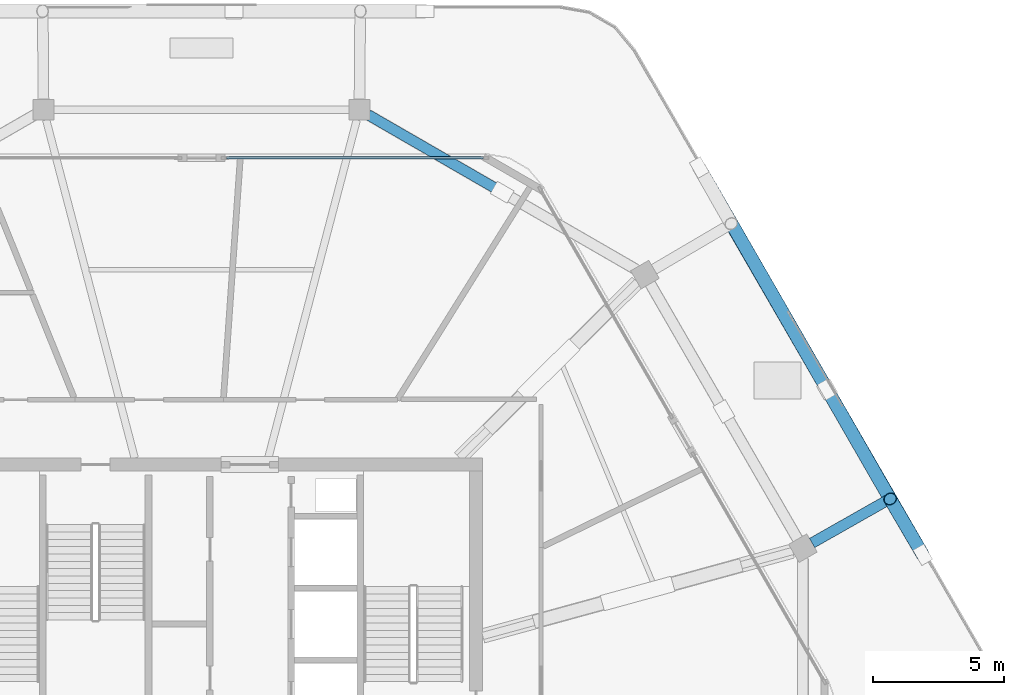
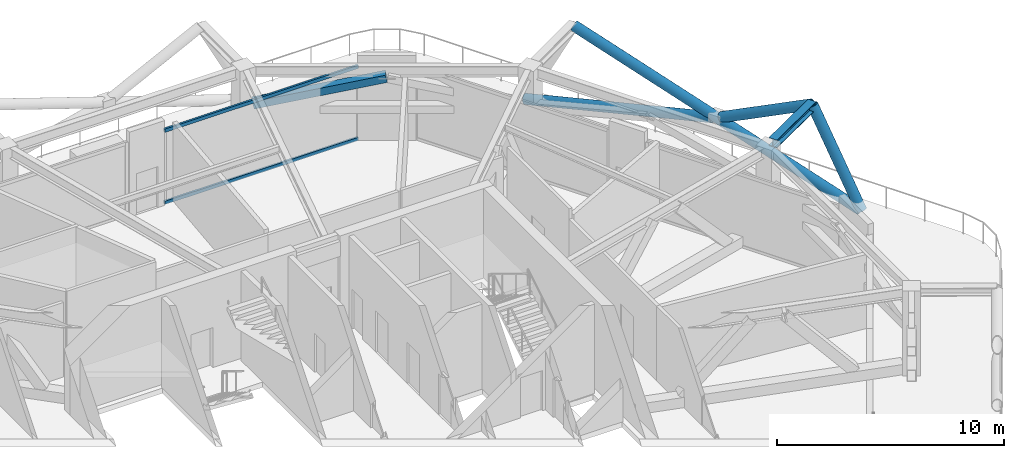
# One storey, part 10 of 19: 7 members, 1 beam, 1 element without a shape of its own.
"""IFC4 building model written with IfcOpenShell, lengths in metres."""

from ifc_helpers import new_model, si_unit, direction, frame, origin, origin_2d, place, context, subcontext, project, spatial, hollow_rectangle, hollow_circle, i_section, extrude, material, material_profile, profile_set, type_object, element, aggregate, save


model = new_model("IFC4")

# Units and contexts
model_context = context("Model", 3, precision=1e-05, world=origin(), true_north=direction((0.0, 1.0)))
body_context = subcontext(model_context, "Body", "Model", "MODEL_VIEW")
ifc_project = project(units=[si_unit("LENGTHUNIT", "METRE"), si_unit("AREAUNIT", "SQUARE_METRE"), si_unit("VOLUMEUNIT", "CUBIC_METRE"), si_unit("PLANEANGLEUNIT", "RADIAN"), si_unit("MASSUNIT", "GRAM", prefix="KILO")], contexts=[model_context])

# Site, building, storey
site_placement = place(None, origin())
site = spatial("IfcSite", under=ifc_project, at=site_placement, CompositionType="ELEMENT")
building_placement = place(site_placement, origin())
building = spatial("IfcBuilding", under=site, at=building_placement, Name="Zuhravey Tower", CompositionType="ELEMENT")
storey_placement = place(building_placement, frame((0.0, 0.0, 303.39990234375)))
storey = spatial("IfcBuildingStorey", under=building, at=storey_placement, Name="L77", CompositionType="ELEMENT", Elevation=303.39990234375)

# Member
ifc_material_1 = material(Name="Steel SM355", Category="steel")
ifc_material_profile_1 = material_profile(ifc_material_1, hollow_rectangle(XDim=0.39990234375, YDim=0.39990234375, WallThickness=0.02490234375, at=origin_2d()), Name="RHS-400x400x25")
ifc_profile_set_1 = profile_set([ifc_material_profile_1], Name="Steel SM355")
member_type_1 = type_object("IfcMemberType", Name="Belt Truss Diagonal RHS400x400", PredefinedType="BRACE", material=ifc_profile_set_1)
member_1_placement = place(storey_placement, frame((42.402099609375, 54.854248046875, 2.49365234375), z_axis=(0.841308559202, -0.485733126091, 0.237198731936), x_axis=(0.500002627198, 0.866023886965, 0.0)))
element("IfcMember", 1, at=member_1_placement, inside=storey, type_object=member_type_1, Name="L77 Belt Truss Diagonal BTD1-02.2", PredefinedType="BRACE", context=body_context, shape_type="SweptSolid", body=[
    extrude(hollow_rectangle(XDim=0.39990234375, YDim=0.39990234375, WallThickness=0.02490234375, at=origin_2d()), origin(), (0.0, 0.0, 1.0), 6.030517578125),
])

# Beam
ifc_material_2 = material(Name="Steel SM460", Category="steel")
ifc_material_profile_2 = material_profile(ifc_material_2, i_section(OverallWidth=0.406982421875, OverallDepth=0.427978515625, WebThickness=0.02001953125, FlangeThickness=0.034912109375, at=origin_2d()), Name="H-428x407x20x35")
ifc_profile_set_2 = profile_set([ifc_material_profile_2], Name="Steel SM460")
beam_type = type_object("IfcBeamType", Name="Exoskeleton Node Tie Beam H428x407", PredefinedType="BEAM", material=ifc_profile_set_2)
beam_placement = place(storey_placement, frame((59.3447265625, 38.501708984375, 4.336181640625), z_axis=(0.869749848737, 0.493492857722, 0.0), x_axis=(-0.493492857722, 0.869749848737, 0.0)))
element("IfcBeam", 2, at=beam_placement, inside=storey, type_object=beam_type, Name="L77 Exoskeleton Node Tie NT1-01", PredefinedType="BEAM", context=body_context, shape_type="SweptSolid", body=[
    extrude(i_section(OverallWidth=0.406982421875, OverallDepth=0.427978515625, WebThickness=0.02001953125, FlangeThickness=0.034912109375, at=origin_2d()), origin(), (0.0, 0.0, 1.0), 3.4111328125),
])

# Members
ifc_material_profile_3 = material_profile(ifc_material_1, hollow_circle(Radius=0.25390625, WallThickness=0.02490234375, at=origin_2d()), Name="CHS-508.0x25")
ifc_profile_set_3 = profile_set([ifc_material_profile_3], Name="Steel SM355")
member_type_2 = type_object("IfcMemberType", Name="Exoskeleton Zone 4 Diagrid CHS508x25", PredefinedType="BRACE", material=ifc_profile_set_3)
member_2_placement = place(storey_placement, frame((63.574462890625, 38.0576171875, -0.477783203125), z_axis=(-0.230913459097, 0.394435671508, 0.889437729945), x_axis=(-0.862991302955, -0.505218775407, 0.0)))
element("IfcMember", 3, at=member_2_placement, inside=storey, type_object=member_type_2, Name="L77 Face 1 Diagrid Brace 1", PredefinedType="BRACE", context=body_context, shape_type="SweptSolid", body=[
    extrude(hollow_circle(Radius=0.25390625, WallThickness=0.02490234375, at=origin_2d()), origin(), (0.0, 0.0, 1.0), 5.394287109375),
])
member_3_placement = place(storey_placement, frame((63.554443359375, 38.092529296875, -0.477783203125), z_axis=(-0.475601911291, 0.821806256586, 0.313747189013), x_axis=(-0.865508774752, -0.500893762017, 0.0)))
element("IfcMember", 4, at=member_3_placement, inside=storey, type_object=member_type_2, Name="L77 Face 1 Diagrid Brace 2", PredefinedType="BRACE", context=body_context, shape_type="SweptSolid", body=[
    extrude(hollow_circle(Radius=0.25390625, WallThickness=0.02490234375, at=origin_2d()), origin(), (0.0, 0.0, 1.0), 15.2919921875),
])
member_4_placement = place(storey_placement, frame((55.053955078125, 52.815673828125, -0.481689453125), z_axis=(0.484798119758, -0.841201305855, 0.239480993205), x_axis=(0.866413012555, 0.499328040146, 0.0)))
element("IfcMember", 5, at=member_4_placement, inside=storey, type_object=member_type_2, Name="L77 Face 1 Split Diagrid Brace 3A", PredefinedType="BRACE", context=body_context, shape_type="SweptSolid", body=[
    extrude(hollow_circle(Radius=0.25390625, WallThickness=0.02490234375, at=origin_2d()), origin(), (0.0, 0.0, 1.0), 9.788818359375),
])
member_5_placement = place(storey_placement, frame((60.026611328125, 44.186767578125, 2.0302734375), z_axis=(0.445945117989, -0.775175980931, 0.447476424328), x_axis=(0.86680049607, 0.498655091233, 0.0)))
element("IfcMember", 6, at=member_5_placement, inside=storey, type_object=member_type_2, Name="L77 Face 1 Split Diagrid Brace 3B", PredefinedType="BRACE", context=body_context, shape_type="SweptSolid", body=[
    extrude(hollow_circle(Radius=0.25390625, WallThickness=0.02490234375, at=origin_2d()), origin(), (0.0, 0.0, 1.0), 5.101806640625),
])

# Curtain wall, members
ifc_material_3 = material(Name="Thermally broken anodised aluminium", Category="aluminium")
curtain_wall_type = type_object("IfcCurtainWallType", Name="Sky-Garden Tray Clerestory Curtain Wall CW5", PredefinedType="NOTDEFINED", material=ifc_material_3)
curtain_wall_placement = place(storey_placement, origin())
curtain_wall = element("IfcCurtainWall", 7, at=curtain_wall_placement, inside=storey, type_object=curtain_wall_type, Name="L77 CW5 CW-L77-F2-2", PredefinedType="NOTDEFINED")
ifc_material_4 = material(Name="Anodised aluminium", Category="aluminium")
ifc_material_profile_4 = material_profile(ifc_material_4, hollow_rectangle(XDim=0.10009765625, YDim=0.179931640625, WallThickness=0.006103515625, at=origin_2d()), Name="ALU-RHS-100x180x6")
ifc_profile_set_4 = profile_set([ifc_material_profile_4], Name="Anodised aluminium")
member_type_3 = type_object("IfcMemberType", Name="Tall-Storey Transom 100x180", PredefinedType="USERDEFINED", material=ifc_profile_set_4)
member_6_placement = place(storey_placement, frame((36.949951171875, 53.22412109375, 0.050048828125), z_axis=(1.0, 0.0, 0.0), x_axis=(0.0, 1.0, 0.0)))
member_6 = element("IfcMember", 8, at=member_6_placement, type_object=member_type_3, Name="CW5 transom 1.1", ObjectType="TRANSOM", PredefinedType="USERDEFINED", context=body_context, shape_type="SweptSolid", body=[
    extrude(hollow_rectangle(XDim=0.10009765625, YDim=0.179931640625, WallThickness=0.006103515625, at=origin_2d()), origin(), (0.0, 0.0, 1.0), 9.83251953125),
])
member_7_placement = place(storey_placement, frame((36.949951171875, 53.22412109375, 3.920166015625), z_axis=(1.0, 0.0, 0.0), x_axis=(0.0, 1.0, 0.0)))
member_7 = element("IfcMember", 9, at=member_7_placement, type_object=member_type_3, Name="CW5 transom 1.2", ObjectType="TRANSOM", PredefinedType="USERDEFINED", context=body_context, shape_type="SweptSolid", body=[
    extrude(hollow_rectangle(XDim=0.10009765625, YDim=0.179931640625, WallThickness=0.006103515625, at=origin_2d()), origin(), (0.0, 0.0, 1.0), 9.83251953125),
])
aggregate(curtain_wall, [member_6, member_7])

save(model, "model.ifc")
